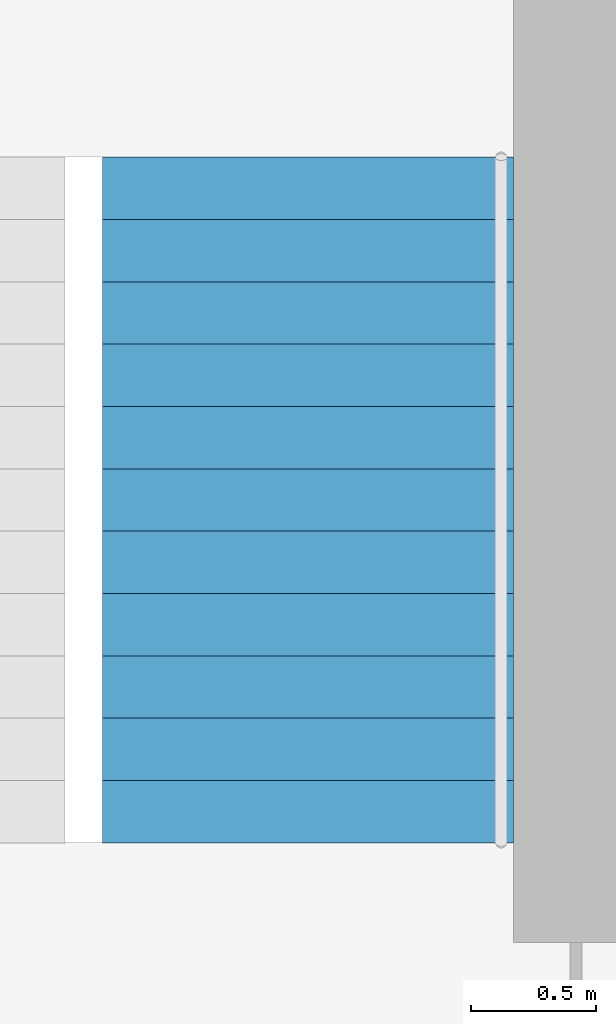
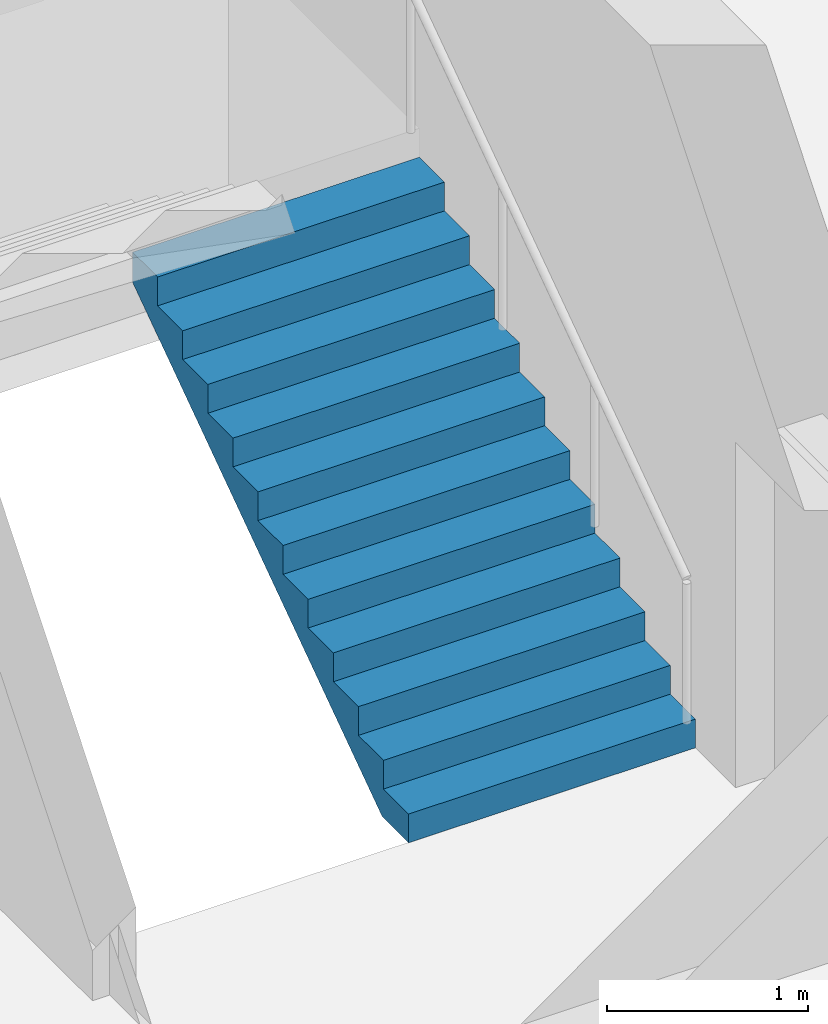
# One storey, part 7 of 8: 1 stair flight, 1 element without a shape of its own.
"""IFC4 building model written with IfcOpenShell, lengths in metres."""

from ifc_helpers import new_model, si_unit, direction, frame, origin, place, context, subcontext, project, spatial, polyline, outline, extrude, material, type_object, element, aggregate, save


model = new_model("IFC4")

# Units and contexts
model_context = context("Model", 3, precision=1e-05, world=origin(), true_north=direction((0.0, 1.0)))
body_context = subcontext(model_context, "Body", "Model", "MODEL_VIEW")
ifc_project = project(units=[si_unit("LENGTHUNIT", "METRE"), si_unit("AREAUNIT", "SQUARE_METRE"), si_unit("VOLUMEUNIT", "CUBIC_METRE"), si_unit("PLANEANGLEUNIT", "RADIAN"), si_unit("MASSUNIT", "GRAM", prefix="KILO")], contexts=[model_context])

# Site, building, storey
site_placement = place(None, origin())
site = spatial("IfcSite", under=ifc_project, at=site_placement, CompositionType="ELEMENT")
building_placement = place(site_placement, origin())
building = spatial("IfcBuilding", under=site, at=building_placement, Name="Ogive Exchange Tower", CompositionType="ELEMENT")
storey_placement = place(building_placement, frame((0.0, 0.0, 317.39990234375)))
storey = spatial("IfcBuildingStorey", under=building, at=storey_placement, Name="L69", CompositionType="ELEMENT", Elevation=317.39990234375)

# Stair, stair flight
ifc_material = material(Name="Concrete C40/50", Category="concrete")
stair_type = type_object("IfcStairType", Name="Exit stair 1650 wide", PredefinedType="HALF_TURN_STAIR", material=ifc_material)
stair_placement = place(storey_placement, origin())
stair = element("IfcStair", 1, at=stair_placement, inside=storey, type_object=stair_type, Name="L69 exit stair ST4", PredefinedType="HALF_TURN_STAIR")
stair_flight_type = type_object("IfcStairFlightType", Name="Stair flight 1650 wide", PredefinedType="STRAIGHT", material=ifc_material)
stair_flight_placement = place(storey_placement, frame((20.175048828125, 20.800048828125, 0.0), z_axis=(0.0, 0.0, 1.0), x_axis=(0.0, 1.0, 0.0)))
stair_flight = element("IfcStairFlight", 2, at=stair_flight_placement, type_object=stair_flight_type, Name="ST4 flight 1", NumberOfRisers=12, NumberOfTreads=11, PredefinedType="STRAIGHT", RiserHeight=0.175, TreadLength=0.25, context=body_context, shape_type="SweptSolid", body=[
    extrude(outline(polyline([(0.0, 0.0), (0.0, 0.175048828125), (0.25, 0.175048828125), (0.25, 0.35009765625), (0.5, 0.35009765625), (0.5, 0.52490234375), (0.75, 0.52490234375), (0.75, 0.699951171875), (1.0, 0.699951171875), (1.0, 0.875), (1.25, 0.875), (1.25, 1.050048828125), (1.5, 1.050048828125), (1.5, 1.22509765625), (1.75, 1.22509765625), (1.75, 1.39990234375), (2.0, 1.39990234375), (2.0, 1.574951171875), (2.25, 1.574951171875), (2.25, 1.75), (2.5, 1.75), (2.5, 1.925048828125), (2.75, 1.925048828125), (2.75, 2.10009765625), (2.75, 1.741943359375), (0.261474609375, 0.0), (0.0, 0.0)])), frame((0.0, 0.824951171875, 0.0), z_axis=(0.0, -1.0, 0.0), x_axis=(1.0, 0.0, 0.0)), (0.0, 0.0, 1.0), 1.64990234375),
])
aggregate(stair, [stair_flight])

save(model, "model.ifc")
